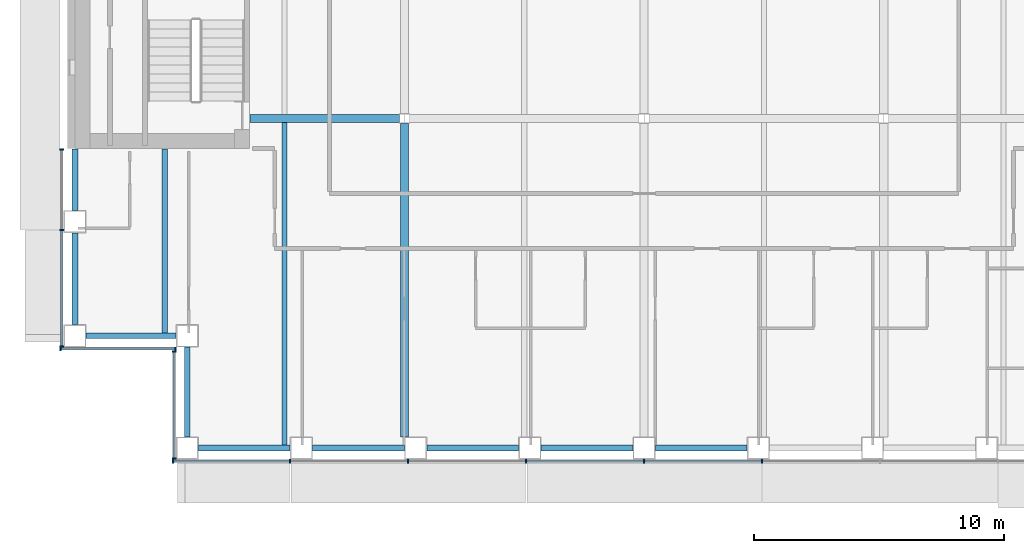
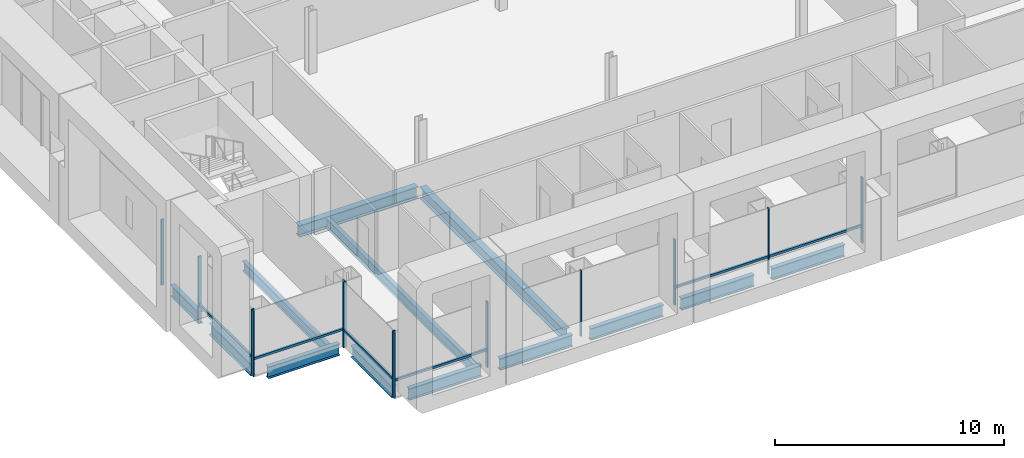
# One storey, part 2 of 19: 19 members, 13 beams, 4 elements without a shape of their own.
"""IFC4 building model written with IfcOpenShell, lengths in metres."""

import ifcopenshell
import ifcopenshell.guid

model = None  # the IFC model being written
_history = None  # IfcOwnerHistory: only IFC2X3 demands one
_inside = {}  # id of a spatial element -> (the spatial element, [elements in it])
_under = {}  # id of a project, library or spatial element -> (it, [spatial elements below it])
_declared = {}  # id of a project -> (the project, [libraries it declares])
_typed = {}  # id of a type object -> (the type object, [elements of that type])
_made_of = {}  # id of a material, layer set ... -> (it, [elements and type objects made of it])


def new_model(schema):
    """Start an empty IFC model of exactly this schema.

    Asked for "IFC4X3", IfcOpenShell would pick the latest addendum, in which some entities
    have other attributes; the version numbers below select the first issue.
    IFC2X3 requires an IfcOwnerHistory on every rooted entity: one is made here for all.
    """
    global model, _history
    if schema == "IFC4X3":
        model = ifcopenshell.file(schema_version=(4, 3, 0, 0))
    else:
        model = ifcopenshell.file(schema=schema)
    _inside.clear()
    _under.clear()
    _declared.clear()
    _typed.clear()
    _made_of.clear()
    _history = None
    if model.schema == "IFC2X3":
        org = make("IfcOrganization", Name="unknown")
        user = make(
            "IfcPersonAndOrganization",
            ThePerson=make("IfcPerson", FamilyName="unknown"),
            TheOrganization=org,
        )
        app = make(
            "IfcApplication",
            ApplicationDeveloper=org,
            Version="unknown",
            ApplicationFullName="unknown",
            ApplicationIdentifier="unknown",
        )
        _history = make(
            "IfcOwnerHistory",
            OwningUser=user,
            OwningApplication=app,
            ChangeAction="ADDED",
            CreationDate=0,
        )
    return model


def make(cls, **values):
    """One entity of the class cls with the attributes given. An attribute that is None is left unset."""
    return model.create_entity(
        cls, **{name: value for name, value in values.items() if value is not None}
    )


def rooted(cls, **values):
    """An entity with a GlobalId (a new one), such as an element, a storey or a relation."""
    return make(cls, GlobalId=ifcopenshell.guid.new(), OwnerHistory=_history, **values)


def si_unit(unit_type, name, prefix=None):
    """IfcSIUnit, for example si_unit("LENGTHUNIT", "METRE", prefix="MILLI")."""
    return make("IfcSIUnit", UnitType=unit_type, Prefix=prefix, Name=name)


def assignment(units):
    """IfcUnitAssignment: the units of a project."""
    return None if units is None else make("IfcUnitAssignment", Units=units)


def point(xyz):
    """IfcCartesianPoint."""
    return None if xyz is None else make("IfcCartesianPoint", Coordinates=xyz)


def direction(xyz):
    """IfcDirection."""
    return None if xyz is None else make("IfcDirection", DirectionRatios=xyz)


def frame(location, z_axis=None, x_axis=None):
    """IfcAxis2Placement3D, a coordinate frame: its origin and axes. An axis left out is left unset."""
    return make(
        "IfcAxis2Placement3D",
        Location=point(location),
        Axis=direction(z_axis),
        RefDirection=direction(x_axis),
    )


def frame_2d(location, x_axis=None):
    """IfcAxis2Placement2D, a coordinate frame in the plane: its origin and x axis."""
    return make(
        "IfcAxis2Placement2D", Location=point(location), RefDirection=direction(x_axis)
    )


def origin():
    """The frame at (0, 0, 0) with its axes left unset."""
    return frame((0.0, 0.0, 0.0))


def origin_2d():
    """The frame at (0, 0) in the plane with its x axis left unset."""
    return frame_2d((0.0, 0.0))


def place(relative_to, where):
    """IfcLocalPlacement: puts the frame where relative to a parent placement (None: the world)."""
    return make(
        "IfcLocalPlacement", PlacementRelTo=relative_to, RelativePlacement=where
    )


def context(
    kind, dimensions, precision=None, world=None, true_north=None, identifier=None
):
    """IfcGeometricRepresentationContext, for example the 3D "Model" context."""
    return make(
        "IfcGeometricRepresentationContext",
        ContextIdentifier=identifier,
        ContextType=kind,
        CoordinateSpaceDimension=dimensions,
        Precision=precision,
        WorldCoordinateSystem=world,
        TrueNorth=true_north,
    )


def subcontext(parent, identifier, kind, view, scale=None):
    """IfcGeometricRepresentationSubContext, for example "Body" below "Model"."""
    return make(
        "IfcGeometricRepresentationSubContext",
        ContextIdentifier=identifier,
        ContextType=kind,
        ParentContext=parent,
        TargetScale=scale,
        TargetView=view,
    )


def project(units=None, contexts=None):
    """IfcProject with its units and contexts."""
    return rooted(
        "IfcProject",
        Name="project",
        RepresentationContexts=contexts,
        UnitsInContext=assignment(units),
    )


def spatial(cls, under=None, at=None, **own):
    """A site, building, storey or space (cls), placed at a placement, below another one or the project."""
    s = rooted(cls, ObjectPlacement=at, **own)
    if under is not None:
        _under.setdefault(under.id(), (under, []))[1].append(s)
    return s


def profile(cls, at=None, kind="AREA", **sizes):
    """A parametric profile (cls). Its sizes go by their IFC names, for example OverallWidth=200.0."""
    return make(cls, ProfileType=kind, Position=at, **sizes)


def rectangle(**sizes):
    """IfcRectangleProfileDef."""
    return profile("IfcRectangleProfileDef", **sizes)


def i_section(**sizes):
    """IfcIShapeProfileDef."""
    return profile("IfcIShapeProfileDef", **sizes)


def extrude(swept, where, along, depth):
    """IfcExtrudedAreaSolid: the profile swept, set in the frame where, extruded along a direction by depth."""
    return make(
        "IfcExtrudedAreaSolid",
        SweptArea=swept,
        Position=where,
        ExtrudedDirection=direction(along),
        Depth=depth,
    )


def shape(context_of_items, identifier, shape_type, items):
    """IfcShapeRepresentation: the items that make up one representation, for example the "Body"."""
    return make(
        "IfcShapeRepresentation",
        ContextOfItems=context_of_items,
        RepresentationIdentifier=identifier,
        RepresentationType=shape_type,
        Items=items,
    )


def material(Name=None, Category=None):
    """IfcMaterial."""
    return make("IfcMaterial", Name=Name, Category=Category)


def material_profile(
    of_material, cross_section, Name=None, Category=None, Priority=None
):
    """IfcMaterialProfile: a cross section and its material."""
    return make(
        "IfcMaterialProfile",
        Name=Name,
        Material=of_material,
        Profile=cross_section,
        Priority=Priority,
        Category=Category,
    )


def profile_set(profiles, Name=None, composite=None):
    """IfcMaterialProfileSet."""
    return make(
        "IfcMaterialProfileSet",
        Name=Name,
        MaterialProfiles=profiles,
        CompositeProfile=composite,
    )


def made_of(thing, what):
    """Note that an element or type object is made of a material, layer set ...; save() writes the relation."""
    if what is not None:
        _made_of.setdefault(what.id(), (what, []))[1].append(thing)
    return thing


def type_object(cls, material=None, **own):
    """A type object (cls), such as IfcWallType, which elements share."""
    return made_of(rooted(cls, **own), material)


def element(
    cls,
    number,
    at=None,
    inside=None,
    cuts=None,
    type_object=None,
    material=None,
    context=None,
    identifier="Body",
    shape_type=None,
    held_by="IfcProductDefinitionShape",
    body=None,
    shapes=None,
    **own,
):
    """One element of the class cls, such as IfcWall. Its Tag is "e" and its number.

    at: its placement. inside: the storey or other place that contains it. cuts: it is an
    opening in that element (IfcRelVoidsElement). A single representation is given by context,
    identifier, shape_type and body (its items); several are given by shapes. held_by: the class
    of the entity that holds the representations. save() writes the other relations.
    """
    e = rooted(cls, Tag="e%d" % number, ObjectPlacement=at, **own)
    if body is not None:
        shapes = [shape(context, identifier, shape_type, body)]
    if shapes is not None:
        e.Representation = make(held_by, Representations=shapes)
    if inside is not None:
        _inside.setdefault(inside.id(), (inside, []))[1].append(e)
    if cuts is not None:
        rooted(
            "IfcRelVoidsElement", RelatingBuildingElement=cuts, RelatedOpeningElement=e
        )
    if type_object is not None:
        _typed.setdefault(type_object.id(), (type_object, []))[1].append(e)
    return made_of(e, material)


def aggregate(whole, parts):
    """IfcRelAggregates: a whole, such as a stair, and the parts it consists of."""
    return rooted("IfcRelAggregates", RelatingObject=whole, RelatedObjects=parts)


def save(model, path):
    """Write the relations noted so far, then the file.

    IfcRelAggregates (storeys below a building ...), IfcRelContainedInSpatialStructure (elements
    in a storey), IfcRelDefinesByType, IfcRelAssociatesMaterial and IfcRelDeclares: one each for
    every whole, place, type object, material and project.
    """
    for whole, parts in _under.values():
        aggregate(whole, parts)
    for where, things in _inside.values():
        rooted(
            "IfcRelContainedInSpatialStructure",
            RelatedElements=things,
            RelatingStructure=where,
        )
    for kind, things in _typed.values():
        rooted("IfcRelDefinesByType", RelatedObjects=things, RelatingType=kind)
    for what, things in _made_of.values():
        rooted("IfcRelAssociatesMaterial", RelatedObjects=things, RelatingMaterial=what)
    for by, libraries in _declared.values():
        rooted("IfcRelDeclares", RelatingContext=by, RelatedDefinitions=libraries)
    model.write(path)


model = new_model("IFC4")

# Units and contexts
model_context = context("Model", 3, precision=1e-05, world=origin(), true_north=direction((0.0, 1.0)))
body_context = subcontext(model_context, "Body", "Model", "MODEL_VIEW")
ifc_project = project(units=[si_unit("LENGTHUNIT", "METRE"), si_unit("AREAUNIT", "SQUARE_METRE"), si_unit("VOLUMEUNIT", "CUBIC_METRE"), si_unit("PLANEANGLEUNIT", "RADIAN"), si_unit("MASSUNIT", "GRAM", prefix="KILO")], contexts=[model_context])

# Site, building, storey
site_placement = place(None, origin())
site = spatial("IfcSite", under=ifc_project, at=site_placement, CompositionType="ELEMENT")
building_placement = place(site_placement, origin())
building = spatial("IfcBuilding", under=site, at=building_placement, Name="Cobrizo Arcos Hotel Tower", CompositionType="ELEMENT")
storey_placement = place(building_placement, frame((0.0, 0.0, 103.0)))
storey = spatial("IfcBuildingStorey", under=building, at=storey_placement, Name="L25", CompositionType="ELEMENT", Elevation=103.0)

# Curtain wall, members
ifc_material_1 = material(Name="Aluminium 6063-T6 anodised bronze", Category="aluminium")
curtain_wall_type = type_object("IfcCurtainWallType", Name="CW-A guest facade", PredefinedType="NOTDEFINED", material=ifc_material_1)
curtain_wall_1_placement = place(storey_placement, origin())
curtain_wall_1 = element("IfcCurtainWall", 1, at=curtain_wall_1_placement, inside=storey, type_object=curtain_wall_type, Name="CW-A L25 S face", PredefinedType="NOTDEFINED")
ifc_material_profile_1 = material_profile(ifc_material_1, rectangle(XDim=0.14990234375, YDim=0.06005859375, at=origin_2d()), Name="CW-A mullion 150x60")
ifc_profile_set_1 = profile_set([ifc_material_profile_1], Name="Aluminium 6063-T6 anodised bronze")
member_type_1 = type_object("IfcMemberType", Name="CW-A mullion 150x60", PredefinedType="MULLION", material=ifc_profile_set_1)
member_1_placement = place(storey_placement, frame((-18.8701171875, -23.324951171875, 0.0), z_axis=(0.0, 0.0, 1.0), x_axis=(0.0, -1.0, 0.0)))
member_1 = element("IfcMember", 2, at=member_1_placement, type_object=member_type_1, Name="CW-A mullion 1", PredefinedType="MULLION", context=body_context, shape_type="SweptSolid", body=[
    extrude(rectangle(XDim=0.14990234375, YDim=0.06005859375, at=origin_2d()), origin(), (0.0, 0.0, 1.0), 3.5),
])
member_2_placement = place(storey_placement, frame((-14.175048828125, -23.324951171875, 0.0), z_axis=(0.0, 0.0, 1.0), x_axis=(0.0, -1.0, 0.0)))
member_2 = element("IfcMember", 3, at=member_2_placement, type_object=member_type_1, Name="CW-A mullion 2", PredefinedType="MULLION", context=body_context, shape_type="SweptSolid", body=[
    extrude(rectangle(XDim=0.14990234375, YDim=0.06005859375, at=origin_2d()), origin(), (0.0, 0.0, 1.0), 3.5),
])
member_3_placement = place(storey_placement, frame((-9.449951171875, -23.324951171875, 0.0), z_axis=(0.0, 0.0, 1.0), x_axis=(0.0, -1.0, 0.0)))
member_3 = element("IfcMember", 4, at=member_3_placement, type_object=member_type_1, Name="CW-A mullion 3", PredefinedType="MULLION", context=body_context, shape_type="SweptSolid", body=[
    extrude(rectangle(XDim=0.14990234375, YDim=0.06005859375, at=origin_2d()), origin(), (0.0, 0.0, 1.0), 3.5),
])
member_4_placement = place(storey_placement, frame((-4.72509765625, -23.324951171875, 0.0), z_axis=(0.0, 0.0, 1.0), x_axis=(0.0, -1.0, 0.0)))
member_4 = element("IfcMember", 5, at=member_4_placement, type_object=member_type_1, Name="CW-A mullion 4", PredefinedType="MULLION", context=body_context, shape_type="SweptSolid", body=[
    extrude(rectangle(XDim=0.14990234375, YDim=0.06005859375, at=origin_2d()), origin(), (0.0, 0.0, 1.0), 3.5),
])
member_5_placement = place(storey_placement, frame((0.0, -23.324951171875, 0.0), z_axis=(0.0, 0.0, 1.0), x_axis=(0.0, -1.0, 0.0)))
member_5 = element("IfcMember", 6, at=member_5_placement, type_object=member_type_1, Name="CW-A mullion 5", PredefinedType="MULLION", context=body_context, shape_type="SweptSolid", body=[
    extrude(rectangle(XDim=0.14990234375, YDim=0.06005859375, at=origin_2d()), origin(), (0.0, 0.0, 1.0), 3.5),
])
member_6_placement = place(storey_placement, frame((4.72509765625, -23.324951171875, 0.0), z_axis=(0.0, 0.0, 1.0), x_axis=(0.0, -1.0, 0.0)))
member_6 = element("IfcMember", 7, at=member_6_placement, type_object=member_type_1, Name="CW-A mullion 6", PredefinedType="MULLION", context=body_context, shape_type="SweptSolid", body=[
    extrude(rectangle(XDim=0.14990234375, YDim=0.06005859375, at=origin_2d()), origin(), (0.0, 0.0, 1.0), 3.5),
])

curtain_wall_2_placement = place(storey_placement, origin())
curtain_wall_2 = element("IfcCurtainWall", 8, at=curtain_wall_2_placement, inside=storey, type_object=curtain_wall_type, Name="CW-A L25 W face", PredefinedType="NOTDEFINED")
member_7_placement = place(storey_placement, frame((-23.324951171875, -10.830078125, 0.0), z_axis=(0.0, 0.0, 1.0), x_axis=(-1.0, 0.0, 0.0)))
member_7 = element("IfcMember", 9, at=member_7_placement, type_object=member_type_1, Name="CW-A mullion 1", PredefinedType="MULLION", context=body_context, shape_type="SweptSolid", body=[
    extrude(rectangle(XDim=0.14990234375, YDim=0.06005859375, at=origin_2d()), origin(), (0.0, 0.0, 1.0), 3.5),
])
member_8_placement = place(storey_placement, frame((-23.324951171875, -14.0625, 0.0), z_axis=(0.0, 0.0, 1.0), x_axis=(-1.0, 0.0, 0.0)))
member_8 = element("IfcMember", 10, at=member_8_placement, type_object=member_type_1, Name="CW-A mullion 2", PredefinedType="MULLION", context=body_context, shape_type="SweptSolid", body=[
    extrude(rectangle(XDim=0.14990234375, YDim=0.06005859375, at=origin_2d()), origin(), (0.0, 0.0, 1.0), 3.5),
])
member_9_placement = place(storey_placement, frame((-23.324951171875, -18.719970703125, 0.0), z_axis=(0.0, 0.0, 1.0), x_axis=(-1.0, 0.0, 0.0)))
member_9 = element("IfcMember", 11, at=member_9_placement, type_object=member_type_1, Name="CW-A mullion 3", PredefinedType="MULLION", context=body_context, shape_type="SweptSolid", body=[
    extrude(rectangle(XDim=0.14990234375, YDim=0.06005859375, at=origin_2d()), origin(), (0.0, 0.0, 1.0), 3.5),
])

curtain_wall_3_placement = place(storey_placement, origin())
curtain_wall_3 = element("IfcCurtainWall", 12, at=curtain_wall_3_placement, inside=storey, type_object=curtain_wall_type, Name="CW-A L25 S face", PredefinedType="NOTDEFINED")
member_10_placement = place(storey_placement, frame((-23.3701171875, -18.824951171875, 0.0), z_axis=(0.0, 0.0, 1.0), x_axis=(0.0, -1.0, 0.0)))
member_10 = element("IfcMember", 13, at=member_10_placement, type_object=member_type_1, Name="CW-A mullion 1", PredefinedType="MULLION", context=body_context, shape_type="SweptSolid", body=[
    extrude(rectangle(XDim=0.14990234375, YDim=0.06005859375, at=origin_2d()), origin(), (0.0, 0.0, 1.0), 3.5),
])
member_11_placement = place(storey_placement, frame((-18.780029296875, -18.824951171875, 0.0), z_axis=(0.0, 0.0, 1.0), x_axis=(0.0, -1.0, 0.0)))
member_11 = element("IfcMember", 14, at=member_11_placement, type_object=member_type_1, Name="CW-A mullion 2", PredefinedType="MULLION", context=body_context, shape_type="SweptSolid", body=[
    extrude(rectangle(XDim=0.14990234375, YDim=0.06005859375, at=origin_2d()), origin(), (0.0, 0.0, 1.0), 3.5),
])

curtain_wall_4_placement = place(storey_placement, origin())
curtain_wall_4 = element("IfcCurtainWall", 15, at=curtain_wall_4_placement, inside=storey, type_object=curtain_wall_type, Name="CW-A L25 W face", PredefinedType="NOTDEFINED")
member_12_placement = place(storey_placement, frame((-18.824951171875, -18.929931640625, 0.0), z_axis=(0.0, 0.0, 1.0), x_axis=(-1.0, 0.0, 0.0)))
member_12 = element("IfcMember", 16, at=member_12_placement, type_object=member_type_1, Name="CW-A mullion 1", PredefinedType="MULLION", context=body_context, shape_type="SweptSolid", body=[
    extrude(rectangle(XDim=0.14990234375, YDim=0.06005859375, at=origin_2d()), origin(), (0.0, 0.0, 1.0), 3.5),
])
member_13_placement = place(storey_placement, frame((-18.824951171875, -23.219970703125, 0.0), z_axis=(0.0, 0.0, 1.0), x_axis=(-1.0, 0.0, 0.0)))
member_13 = element("IfcMember", 17, at=member_13_placement, type_object=member_type_1, Name="CW-A mullion 2", PredefinedType="MULLION", context=body_context, shape_type="SweptSolid", body=[
    extrude(rectangle(XDim=0.14990234375, YDim=0.06005859375, at=origin_2d()), origin(), (0.0, 0.0, 1.0), 3.5),
])

# Member
ifc_material_profile_2 = material_profile(ifc_material_1, rectangle(XDim=0.10009765625, YDim=0.1201171875, at=origin_2d()), Name="CW-A transom 120x100")
ifc_profile_set_2 = profile_set([ifc_material_profile_2], Name="Aluminium 6063-T6 anodised bronze")
member_type_2 = type_object("IfcMemberType", Name="CW-A transom 120x100", PredefinedType="USERDEFINED", material=ifc_profile_set_2)
member_14_placement = place(storey_placement, frame((-18.840087890625, -23.324951171875, 0.929931640625), z_axis=(1.0, 0.0, 0.0), x_axis=(0.0, 1.0, 0.0)))
member_14 = element("IfcMember", 18, at=member_14_placement, type_object=member_type_2, Name="CW-A transom 979", ObjectType="TRANSOM", PredefinedType="USERDEFINED", context=body_context, shape_type="SweptSolid", body=[
    extrude(rectangle(XDim=0.10009765625, YDim=0.1201171875, at=origin_2d()), origin(), (0.0, 0.0, 1.0), 4.635009765625),
])

member_15_placement = place(storey_placement, frame((-4.695068359375, -23.324951171875, 0.929931640625), z_axis=(1.0, 0.0, 0.0), x_axis=(0.0, 1.0, 0.0)))
member_15 = element("IfcMember", 19, at=member_15_placement, type_object=member_type_2, Name="CW-A transom 982", ObjectType="TRANSOM", PredefinedType="USERDEFINED", context=body_context, shape_type="SweptSolid", body=[
    extrude(rectangle(XDim=0.10009765625, YDim=0.1201171875, at=origin_2d()), origin(), (0.0, 0.0, 1.0), 4.6650390625),
])

member_16_placement = place(storey_placement, frame((0.030029296875, -23.324951171875, 0.929931640625), z_axis=(1.0, 0.0, 0.0), x_axis=(0.0, 1.0, 0.0)))
member_16 = element("IfcMember", 20, at=member_16_placement, type_object=member_type_2, Name="CW-A transom 983", ObjectType="TRANSOM", PredefinedType="USERDEFINED", context=body_context, shape_type="SweptSolid", body=[
    extrude(rectangle(XDim=0.10009765625, YDim=0.1201171875, at=origin_2d()), origin(), (0.0, 0.0, 1.0), 4.6650390625),
])

aggregate(curtain_wall_1, [member_1, member_2, member_3, member_4, member_5, member_6, member_14, member_15, member_16])

member_17_placement = place(storey_placement, frame((-23.324951171875, -14.092529296875, 0.929931640625), z_axis=(0.0, -1.0, 0.0), x_axis=(1.0, 0.0, 0.0)))
member_17 = element("IfcMember", 21, at=member_17_placement, type_object=member_type_2, Name="CW-A transom 1008", ObjectType="TRANSOM", PredefinedType="USERDEFINED", context=body_context, shape_type="SweptSolid", body=[
    extrude(rectangle(XDim=0.10009765625, YDim=0.1201171875, at=origin_2d()), origin(), (0.0, 0.0, 1.0), 4.597412109375),
])

aggregate(curtain_wall_2, [member_7, member_8, member_9, member_17])

member_18_placement = place(storey_placement, frame((-23.340087890625, -18.824951171875, 0.929931640625), z_axis=(1.0, 0.0, 0.0), x_axis=(0.0, 1.0, 0.0)))
member_18 = element("IfcMember", 22, at=member_18_placement, type_object=member_type_2, Name="CW-A transom 1009", ObjectType="TRANSOM", PredefinedType="USERDEFINED", context=body_context, shape_type="SweptSolid", body=[
    extrude(rectangle(XDim=0.10009765625, YDim=0.1201171875, at=origin_2d()), origin(), (0.0, 0.0, 1.0), 4.530029296875),
])

aggregate(curtain_wall_3, [member_10, member_11, member_18])

member_19_placement = place(storey_placement, frame((-18.824951171875, -18.9599609375, 0.929931640625), z_axis=(0.0, -1.0, 0.0), x_axis=(1.0, 0.0, 0.0)))
member_19 = element("IfcMember", 23, at=member_19_placement, type_object=member_type_2, Name="CW-A transom 1010", ObjectType="TRANSOM", PredefinedType="USERDEFINED", context=body_context, shape_type="SweptSolid", body=[
    extrude(rectangle(XDim=0.10009765625, YDim=0.1201171875, at=origin_2d()), origin(), (0.0, 0.0, 1.0), 4.22998046875),
])

aggregate(curtain_wall_4, [member_12, member_13, member_19])

# Beams
ifc_material_2 = material(Name="Steel ASTM A992 Grade 50", Category="steel")
ifc_material_profile_3 = material_profile(ifc_material_2, i_section(OverallWidth=0.209228515625, OverallDepth=0.533447265625, WebThickness=0.01025390625, FlangeThickness=0.015625, at=origin_2d()), Name="W21X62")
ifc_profile_set_3 = profile_set([ifc_material_profile_3], Name="Steel ASTM A992 Grade 50")
beam_type_1 = type_object("IfcBeamType", Name="W21X62 joist", PredefinedType="JOIST", material=ifc_profile_set_3)
beam_1_placement = place(storey_placement, frame((-19.199951171875, -18.2099609375, -0.416748046875), z_axis=(0.0, 1.0, 0.0), x_axis=(-1.0, 0.0, 0.0)))
element("IfcBeam", 24, at=beam_1_placement, inside=storey, type_object=beam_type_1, Name="Floor joist J1, L25, no. 001", PredefinedType="JOIST", context=body_context, shape_type="SweptSolid", body=[
    extrude(i_section(OverallWidth=0.209228515625, OverallDepth=0.533447265625, WebThickness=0.01025390625, FlangeThickness=0.015625, at=origin_2d()), origin(), (0.0, 0.0, 1.0), 7.39990234375),
])
beam_2_placement = place(storey_placement, frame((-14.39990234375, -22.7099609375, -0.416748046875), z_axis=(0.0, 1.0, 0.0), x_axis=(-1.0, 0.0, 0.0)))
element("IfcBeam", 25, at=beam_2_placement, inside=storey, type_object=beam_type_1, Name="Floor joist J1, L25, no. 003", PredefinedType="JOIST", context=body_context, shape_type="SweptSolid", body=[
    extrude(i_section(OverallWidth=0.209228515625, OverallDepth=0.533447265625, WebThickness=0.01025390625, FlangeThickness=0.015625, at=origin_2d()), origin(), (0.0, 0.0, 1.0), 12.946044921875),
])
ifc_material_profile_4 = material_profile(ifc_material_2, i_section(OverallWidth=0.32763671875, OverallDepth=0.622314453125, WebThickness=0.015380859375, FlangeThickness=0.0244140625, at=origin_2d()), Name="W24X131")
ifc_profile_set_4 = profile_set([ifc_material_profile_4], Name="Steel ASTM A992 Grade 50")
beam_type_2 = type_object("IfcBeamType", Name="W24X131 girder", PredefinedType="BEAM", material=ifc_profile_set_4)
beam_3_placement = place(storey_placement, frame((-15.7900390625, -9.60009765625, -0.461181640625), z_axis=(1.0, 0.0, 0.0), x_axis=(0.0, 1.0, 0.0)))
element("IfcBeam", 26, at=beam_3_placement, inside=storey, type_object=beam_type_2, Name="Floor girder G1, L25, no. 001", PredefinedType="BEAM", context=body_context, shape_type="SweptSolid", body=[
    extrude(i_section(OverallWidth=0.32763671875, OverallDepth=0.622314453125, WebThickness=0.015380859375, FlangeThickness=0.0244140625, at=origin_2d()), origin(), (0.0, 0.0, 1.0), 5.99072265625),
])
beam_4_placement = place(storey_placement, frame((-9.60009765625, -22.35009765625, -0.461181640625), z_axis=(0.0, 1.0, 0.0), x_axis=(-1.0, 0.0, 0.0)))
element("IfcBeam", 27, at=beam_4_placement, inside=storey, type_object=beam_type_2, Name="Floor girder G1, L25, no. 013", PredefinedType="BEAM", context=body_context, shape_type="SweptSolid", body=[
    extrude(i_section(OverallWidth=0.32763671875, OverallDepth=0.622314453125, WebThickness=0.015380859375, FlangeThickness=0.0244140625, at=origin_2d()), origin(), (0.0, 0.0, 1.0), 12.55078125),
])
ifc_material_profile_5 = material_profile(ifc_material_2, i_section(OverallWidth=0.23046875, OverallDepth=0.6171875, WebThickness=0.01318359375, FlangeThickness=0.022216796875, at=origin_2d()), Name="W24X94")
ifc_profile_set_5 = profile_set([ifc_material_profile_5], Name="Steel ASTM A992 Grade 50")
beam_type_3 = type_object("IfcBeamType", Name="W24X94 spandrel", PredefinedType="SPANDREL", material=ifc_profile_set_5)
beam_5_placement = place(storey_placement, frame((-17.85009765625, -22.800048828125, -0.45849609375), z_axis=(1.0, 0.0, 0.0), x_axis=(0.0, 1.0, 0.0)))
element("IfcBeam", 28, at=beam_5_placement, inside=storey, type_object=beam_type_3, Name="Spandrel beam W24X94, L25, no. 001", PredefinedType="SPANDREL", context=body_context, shape_type="SweptSolid", body=[
    extrude(i_section(OverallWidth=0.23046875, OverallDepth=0.6171875, WebThickness=0.01318359375, FlangeThickness=0.022216796875, at=origin_2d()), origin(), (0.0, 0.0, 1.0), 3.675048828125),
])
beam_6_placement = place(storey_placement, frame((-13.27490234375, -22.800048828125, -0.45849609375), z_axis=(1.0, 0.0, 0.0), x_axis=(0.0, 1.0, 0.0)))
element("IfcBeam", 29, at=beam_6_placement, inside=storey, type_object=beam_type_3, Name="Spandrel beam W24X94, L25, no. 002", PredefinedType="SPANDREL", context=body_context, shape_type="SweptSolid", body=[
    extrude(i_section(OverallWidth=0.23046875, OverallDepth=0.6171875, WebThickness=0.01318359375, FlangeThickness=0.022216796875, at=origin_2d()), origin(), (0.0, 0.0, 1.0), 3.6748046875),
])
for number, where, z_axis, x_axis, name in (
    (30, (-8.699951171875, -22.800048828125, -0.45849609375), (1.0, 0.0, 0.0), (0.0, 1.0, 0.0), "Spandrel beam W24X94, L25, no. 003"),
    (31, (-4.125, -22.800048828125, -0.45849609375), (1.0, 0.0, 0.0), (0.0, 1.0, 0.0), "Spandrel beam W24X94, L25, no. 004"),
    (32, (0.449951171875, -22.800048828125, -0.45849609375), (1.0, 0.0, 0.0), (0.0, 1.0, 0.0), "Spandrel beam W24X94, L25, no. 005"),
):
    element("IfcBeam", number, at=place(storey_placement, frame(where, z_axis=z_axis, x_axis=x_axis)), inside=storey, type_object=beam_type_3, Name=name, PredefinedType="SPANDREL", context=body_context, shape_type="SweptSolid", body=[
        extrude(i_section(OverallWidth=0.23046875, OverallDepth=0.6171875, WebThickness=0.01318359375, FlangeThickness=0.022216796875, at=origin_2d()), origin(), (0.0, 0.0, 1.0), 3.675048828125),
    ])
beam_7_placement = place(storey_placement, frame((-22.800048828125, -10.81005859375, -0.45849609375), z_axis=(0.0, -1.0, 0.0), x_axis=(1.0, 0.0, 0.0)))
element("IfcBeam", 33, at=beam_7_placement, inside=storey, type_object=beam_type_3, Name="Spandrel beam W24X94, L25, no. 029", PredefinedType="SPANDREL", context=body_context, shape_type="SweptSolid", body=[
    extrude(i_section(OverallWidth=0.23046875, OverallDepth=0.6171875, WebThickness=0.01318359375, FlangeThickness=0.022216796875, at=origin_2d()), origin(), (0.0, 0.0, 1.0), 2.46484375),
])
beam_8_placement = place(storey_placement, frame((-22.800048828125, -14.175048828125, -0.45849609375), z_axis=(0.0, -1.0, 0.0), x_axis=(1.0, 0.0, 0.0)))
element("IfcBeam", 34, at=beam_8_placement, inside=storey, type_object=beam_type_3, Name="Spandrel beam W24X94, L25, no. 030", PredefinedType="SPANDREL", context=body_context, shape_type="SweptSolid", body=[
    extrude(i_section(OverallWidth=0.23046875, OverallDepth=0.6171875, WebThickness=0.01318359375, FlangeThickness=0.022216796875, at=origin_2d()), origin(), (0.0, 0.0, 1.0), 3.675048828125),
])
for number, where, z_axis, x_axis, name in (
    (35, (-22.35009765625, -18.300048828125, -0.45849609375), (1.0, 0.0, 0.0), (0.0, 1.0, 0.0), "Spandrel beam W24X94, L25, no. 031"),
    (36, (-18.300048828125, -18.75, -0.45849609375), (0.0, -1.0, 0.0), (1.0, 0.0, 0.0), "Spandrel beam W24X94, L25, no. 032"),
):
    element("IfcBeam", number, at=place(storey_placement, frame(where, z_axis=z_axis, x_axis=x_axis)), inside=storey, type_object=beam_type_3, Name=name, PredefinedType="SPANDREL", context=body_context, shape_type="SweptSolid", body=[
        extrude(i_section(OverallWidth=0.23046875, OverallDepth=0.6171875, WebThickness=0.01318359375, FlangeThickness=0.022216796875, at=origin_2d()), origin(), (0.0, 0.0, 1.0), 3.60009765625),
    ])

save(model, "model.ifc")
